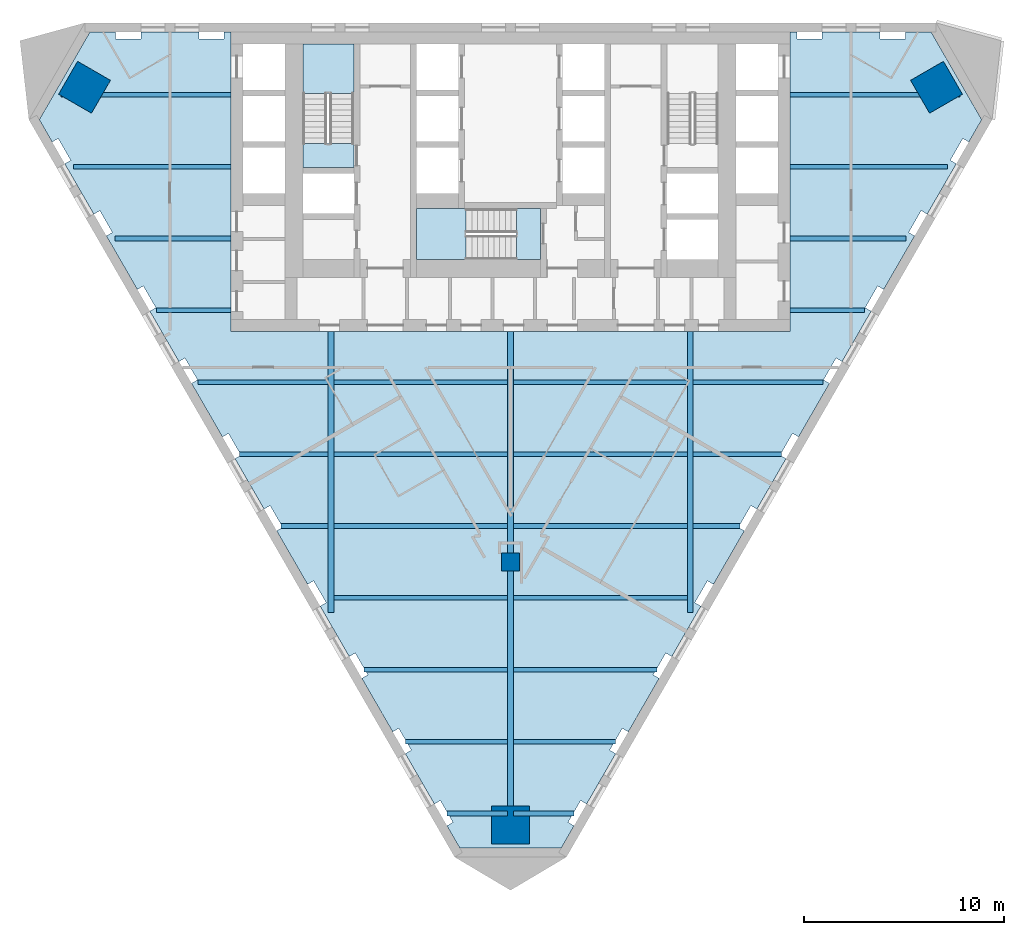
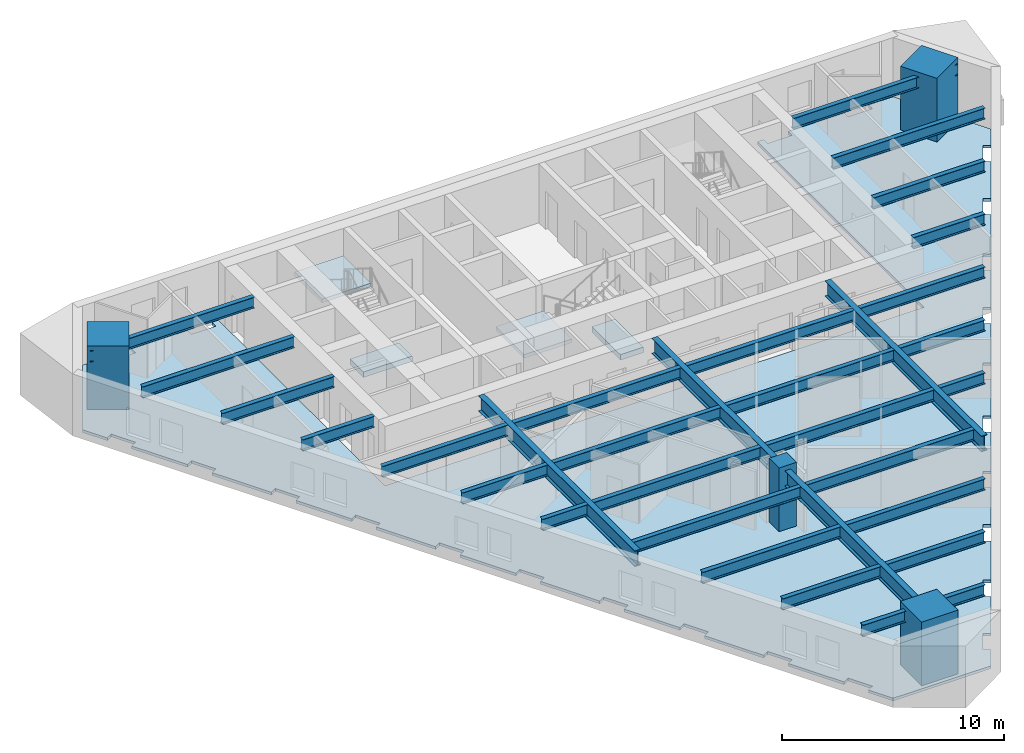
# One storey, part 1 of 9: 32 beams, 5 slabs, 4 columns, 2 elements without a shape of their own.
"""IFC4 building model written with IfcOpenShell, lengths in metres."""

from ifc_helpers import new_model, si_unit, direction, frame, origin, origin_2d, place, context, subcontext, project, spatial, polyline, rectangle, i_section, outline, extrude, material, layer, layer_set, material_profile, profile_set, type_object, element, aggregate, save


model = new_model("IFC4")

# Units and contexts
model_context = context("Model", 3, precision=1e-05, world=origin(), true_north=direction((0.0, 1.0)))
body_context = subcontext(model_context, "Body", "Model", "MODEL_VIEW")
ifc_project = project(units=[si_unit("LENGTHUNIT", "METRE"), si_unit("AREAUNIT", "SQUARE_METRE"), si_unit("VOLUMEUNIT", "CUBIC_METRE"), si_unit("PLANEANGLEUNIT", "RADIAN"), si_unit("MASSUNIT", "GRAM", prefix="KILO")], contexts=[model_context])

# Site, building, storey
site_placement = place(None, origin())
site = spatial("IfcSite", under=ifc_project, at=site_placement, CompositionType="ELEMENT")
building_placement = place(site_placement, origin())
building = spatial("IfcBuilding", under=site, at=building_placement, Name="Aloe Facet Convention Tower", CompositionType="ELEMENT")
storey_placement = place(building_placement, frame((0.0, 0.0, 120.300048828125)))
storey = spatial("IfcBuildingStorey", under=building, at=storey_placement, Name="L30", CompositionType="ELEMENT", Elevation=120.300048828125)

# Columns
ifc_material_1 = material(Name="Concrete C70/85", Category="concrete")
ifc_material_profile_1 = material_profile(ifc_material_1, rectangle(XDim=0.89990234375, YDim=0.89990234375, at=origin_2d()), Name="SF-GC-Z2")
ifc_profile_set_1 = profile_set([ifc_material_profile_1], Name="Concrete C70/85")
column_type_1 = type_object("IfcColumnType", Name="SF-GC-Z2", PredefinedType="COLUMN", material=ifc_profile_set_1)
column_placement = place(storey_placement, frame((80.0, 108.0, 0.0), z_axis=(0.0, 0.0, 1.0), x_axis=(1.0, 0.0, 0.0)))
element("IfcColumn", 1, at=column_placement, inside=storey, type_object=column_type_1, Name="Gravity column GC-Z2-9D", PredefinedType="COLUMN", context=body_context, shape_type="SweptSolid", body=[
    extrude(rectangle(XDim=0.89990234375, YDim=0.89990234375, at=origin_2d()), origin(), (0.0, 0.0, 1.0), 3.5),
])
ifc_material_2 = material(Name="Concrete C80/95", Category="concrete")
ifc_material_profile_2 = material_profile(ifc_material_2, rectangle(XDim=1.89990234375, YDim=1.89990234375, at=origin_2d()), Name="STW-MC-Z2")
ifc_profile_set_2 = profile_set([ifc_material_profile_2], Name="Concrete C80/95")
column_type_2 = type_object("IfcColumnType", Name="STW-MC-Z2", PredefinedType="COLUMN", material=ifc_profile_set_2)
for number, where, z_axis, x_axis, name in (
    (2, (101.3359375, 131.775146484375, 0.0), (0.0, 0.0, 1.0), (-0.5, 0.866025403784, 0.0), "Mega-column MC-NE-L30"),
    (3, (58.6640625, 131.775146484375, 0.0), (0.0, 0.0, 1.0), (-0.5, -0.866025403784, 0.0), "Mega-column MC-NW-L30"),
    (4, (80.0, 94.8203125, 0.0), (0.0, 0.0, 1.0), (1.0, 0.0, 0.0), "Mega-column MC-S-L30"),
):
    element("IfcColumn", number, at=place(storey_placement, frame(where, z_axis=z_axis, x_axis=x_axis)), inside=storey, type_object=column_type_2, Name=name, PredefinedType="COLUMN", context=body_context, shape_type="SweptSolid", body=[
        extrude(rectangle(XDim=1.89990234375, YDim=1.89990234375, at=origin_2d()), origin(), (0.0, 0.0, 1.0), 3.5),
    ])

# Beams
ifc_material_3 = material(Name="Steel S355", Category="steel")
ifc_material_profile_3 = material_profile(ifc_material_3, i_section(OverallWidth=0.22900390625, OverallDepth=0.6123046875, WebThickness=0.011962890625, FlangeThickness=0.01953125, FilletRadius=0.0126953125, at=origin_2d()), Name="UB 610x229x125")
ifc_profile_set_3 = profile_set([ifc_material_profile_3], Name="Steel S355")
beam_type_1 = type_object("IfcBeamType", Name="SF-B-UB610x229x125", PredefinedType="BEAM", material=ifc_profile_set_3)
beam_1_placement = place(storey_placement, frame((57.47607421875, 131.39990234375, 2.94384765625), z_axis=(1.0, 0.0, 0.0), x_axis=(0.0, 1.0, 0.0)))
element("IfcBeam", 5, at=beam_1_placement, inside=storey, type_object=beam_type_1, Name="Floor beam FB-Z2I-005", PredefinedType="BEAM", context=body_context, shape_type="SweptSolid", body=[
    extrude(i_section(OverallWidth=0.22900390625, OverallDepth=0.6123046875, WebThickness=0.011962890625, FlangeThickness=0.01953125, FilletRadius=0.0126953125, at=origin_2d()), origin(), (0.0, 0.0, 1.0), 8.52392578125),
])
beam_2_placement = place(storey_placement, frame((58.111328125, 127.800048828125, 2.94384765625), z_axis=(1.0, 0.0, 0.0), x_axis=(0.0, 1.0, 0.0)))
element("IfcBeam", 6, at=beam_2_placement, inside=storey, type_object=beam_type_1, Name="Floor beam FB-Z2I-006", PredefinedType="BEAM", context=body_context, shape_type="SweptSolid", body=[
    extrude(i_section(OverallWidth=0.22900390625, OverallDepth=0.6123046875, WebThickness=0.011962890625, FlangeThickness=0.01953125, FilletRadius=0.0126953125, at=origin_2d()), origin(), (0.0, 0.0, 1.0), 7.888671875),
])
beam_3_placement = place(storey_placement, frame((60.18994140625, 124.199951171875, 2.94384765625), z_axis=(1.0, 0.0, 0.0), x_axis=(0.0, 1.0, 0.0)))
element("IfcBeam", 7, at=beam_3_placement, inside=storey, type_object=beam_type_1, Name="Floor beam FB-Z2I-007", PredefinedType="BEAM", context=body_context, shape_type="SweptSolid", body=[
    extrude(i_section(OverallWidth=0.22900390625, OverallDepth=0.6123046875, WebThickness=0.011962890625, FlangeThickness=0.01953125, FilletRadius=0.0126953125, at=origin_2d()), origin(), (0.0, 0.0, 1.0), 5.81005859375),
])
beam_4_placement = place(storey_placement, frame((62.268310546875, 120.60009765625, 2.94384765625), z_axis=(1.0, 0.0, 0.0), x_axis=(0.0, 1.0, 0.0)))
element("IfcBeam", 8, at=beam_4_placement, inside=storey, type_object=beam_type_1, Name="Floor beam FB-Z2I-008", PredefinedType="BEAM", context=body_context, shape_type="SweptSolid", body=[
    extrude(i_section(OverallWidth=0.22900390625, OverallDepth=0.6123046875, WebThickness=0.011962890625, FlangeThickness=0.01953125, FilletRadius=0.0126953125, at=origin_2d()), origin(), (0.0, 0.0, 1.0), 3.731689453125),
])
beam_5_placement = place(storey_placement, frame((64.3466796875, 117.0, 2.94384765625), z_axis=(1.0, 0.0, 0.0), x_axis=(0.0, 1.0, 0.0)))
element("IfcBeam", 9, at=beam_5_placement, inside=storey, type_object=beam_type_1, Name="Floor beam FB-Z2I-009", PredefinedType="BEAM", context=body_context, shape_type="SweptSolid", body=[
    extrude(i_section(OverallWidth=0.22900390625, OverallDepth=0.6123046875, WebThickness=0.011962890625, FlangeThickness=0.01953125, FilletRadius=0.0126953125, at=origin_2d()), origin(), (0.0, 0.0, 1.0), 6.50634765625),
])
beam_6_placement = place(storey_placement, frame((66.42529296875, 113.39990234375, 2.94384765625), z_axis=(1.0, 0.0, 0.0), x_axis=(0.0, 1.0, 0.0)))
element("IfcBeam", 10, at=beam_6_placement, inside=storey, type_object=beam_type_1, Name="Floor beam FB-Z2I-010", PredefinedType="BEAM", context=body_context, shape_type="SweptSolid", body=[
    extrude(i_section(OverallWidth=0.22900390625, OverallDepth=0.6123046875, WebThickness=0.011962890625, FlangeThickness=0.01953125, FilletRadius=0.0126953125, at=origin_2d()), origin(), (0.0, 0.0, 1.0), 4.427734375),
])
beam_7_placement = place(storey_placement, frame((68.503662109375, 109.800048828125, 2.94384765625), z_axis=(1.0, 0.0, 0.0), x_axis=(0.0, 1.0, 0.0)))
element("IfcBeam", 11, at=beam_7_placement, inside=storey, type_object=beam_type_1, Name="Floor beam FB-Z2I-011", PredefinedType="BEAM", context=body_context, shape_type="SweptSolid", body=[
    extrude(i_section(OverallWidth=0.22900390625, OverallDepth=0.6123046875, WebThickness=0.011962890625, FlangeThickness=0.01953125, FilletRadius=0.0126953125, at=origin_2d()), origin(), (0.0, 0.0, 1.0), 2.349365234375),
])
for number, where, z_axis, x_axis, name in (
    (12, (71.14697265625, 106.199951171875, 2.94384765625), (1.0, 0.0, 0.0), (0.0, 1.0, 0.0), "Floor beam FB-Z2I-012"),
    (13, (71.14697265625, 109.800048828125, 2.94384765625), (1.0, 0.0, 0.0), (0.0, 1.0, 0.0), "Floor beam FB-Z2I-013"),
    (14, (71.14697265625, 113.39990234375, 2.94384765625), (1.0, 0.0, 0.0), (0.0, 1.0, 0.0), "Floor beam FB-Z2I-014"),
    (15, (71.14697265625, 117.0, 2.94384765625), (1.0, 0.0, 0.0), (0.0, 1.0, 0.0), "Floor beam FB-Z2I-015"),
):
    element("IfcBeam", number, at=place(storey_placement, frame(where, z_axis=z_axis, x_axis=x_axis)), inside=storey, type_object=beam_type_1, Name=name, PredefinedType="BEAM", context=body_context, shape_type="SweptSolid", body=[
        extrude(i_section(OverallWidth=0.22900390625, OverallDepth=0.6123046875, WebThickness=0.011962890625, FlangeThickness=0.01953125, FilletRadius=0.0126953125, at=origin_2d()), origin(), (0.0, 0.0, 1.0), 8.7060546875),
    ])
beam_8_placement = place(storey_placement, frame((72.66064453125, 102.60009765625, 2.94384765625), z_axis=(1.0, 0.0, 0.0), x_axis=(0.0, 1.0, 0.0)))
element("IfcBeam", 16, at=beam_8_placement, inside=storey, type_object=beam_type_1, Name="Floor beam FB-Z2I-016", PredefinedType="BEAM", context=body_context, shape_type="SweptSolid", body=[
    extrude(i_section(OverallWidth=0.22900390625, OverallDepth=0.6123046875, WebThickness=0.011962890625, FlangeThickness=0.01953125, FilletRadius=0.0126953125, at=origin_2d()), origin(), (0.0, 0.0, 1.0), 7.1923828125),
])
beam_9_placement = place(storey_placement, frame((74.739013671875, 99.0, 2.94384765625), z_axis=(1.0, 0.0, 0.0), x_axis=(0.0, 1.0, 0.0)))
element("IfcBeam", 17, at=beam_9_placement, inside=storey, type_object=beam_type_1, Name="Floor beam FB-Z2I-017", PredefinedType="BEAM", context=body_context, shape_type="SweptSolid", body=[
    extrude(i_section(OverallWidth=0.22900390625, OverallDepth=0.6123046875, WebThickness=0.011962890625, FlangeThickness=0.01953125, FilletRadius=0.0126953125, at=origin_2d()), origin(), (0.0, 0.0, 1.0), 5.114013671875),
])
for number, where, z_axis, x_axis, name in (
    (18, (76.817626953125, 95.39990234375, 2.94384765625), (1.0, 0.0, 0.0), (0.0, 1.0, 0.0), "Floor beam FB-Z2I-018"),
    (19, (80.14697265625, 95.39990234375, 2.94384765625), (1.0, 0.0, 0.0), (0.0, 1.0, 0.0), "Floor beam FB-Z2I-019"),
):
    element("IfcBeam", number, at=place(storey_placement, frame(where, z_axis=z_axis, x_axis=x_axis)), inside=storey, type_object=beam_type_1, Name=name, PredefinedType="BEAM", context=body_context, shape_type="SweptSolid", body=[
        extrude(i_section(OverallWidth=0.22900390625, OverallDepth=0.6123046875, WebThickness=0.011962890625, FlangeThickness=0.01953125, FilletRadius=0.0126953125, at=origin_2d()), origin(), (0.0, 0.0, 1.0), 3.035400390625),
    ])
beam_10_placement = place(storey_placement, frame((80.14697265625, 99.0, 2.94384765625), z_axis=(1.0, 0.0, 0.0), x_axis=(0.0, 1.0, 0.0)))
element("IfcBeam", 20, at=beam_10_placement, inside=storey, type_object=beam_type_1, Name="Floor beam FB-Z2I-020", PredefinedType="BEAM", context=body_context, shape_type="SweptSolid", body=[
    extrude(i_section(OverallWidth=0.22900390625, OverallDepth=0.6123046875, WebThickness=0.011962890625, FlangeThickness=0.01953125, FilletRadius=0.0126953125, at=origin_2d()), origin(), (0.0, 0.0, 1.0), 5.114013671875),
])
beam_11_placement = place(storey_placement, frame((80.14697265625, 102.60009765625, 2.94384765625), z_axis=(1.0, 0.0, 0.0), x_axis=(0.0, 1.0, 0.0)))
element("IfcBeam", 21, at=beam_11_placement, inside=storey, type_object=beam_type_1, Name="Floor beam FB-Z2I-021", PredefinedType="BEAM", context=body_context, shape_type="SweptSolid", body=[
    extrude(i_section(OverallWidth=0.22900390625, OverallDepth=0.6123046875, WebThickness=0.011962890625, FlangeThickness=0.01953125, FilletRadius=0.0126953125, at=origin_2d()), origin(), (0.0, 0.0, 1.0), 7.1923828125),
])
for number, where, z_axis, x_axis, name in (
    (22, (80.14697265625, 106.199951171875, 2.94384765625), (1.0, 0.0, 0.0), (0.0, 1.0, 0.0), "Floor beam FB-Z2I-022"),
    (23, (80.14697265625, 109.800048828125, 2.94384765625), (1.0, 0.0, 0.0), (0.0, 1.0, 0.0), "Floor beam FB-Z2I-023"),
    (24, (80.14697265625, 113.39990234375, 2.94384765625), (1.0, 0.0, 0.0), (0.0, 1.0, 0.0), "Floor beam FB-Z2I-024"),
    (25, (80.14697265625, 117.0, 2.94384765625), (1.0, 0.0, 0.0), (0.0, 1.0, 0.0), "Floor beam FB-Z2I-025"),
):
    element("IfcBeam", number, at=place(storey_placement, frame(where, z_axis=z_axis, x_axis=x_axis)), inside=storey, type_object=beam_type_1, Name=name, PredefinedType="BEAM", context=body_context, shape_type="SweptSolid", body=[
        extrude(i_section(OverallWidth=0.22900390625, OverallDepth=0.6123046875, WebThickness=0.011962890625, FlangeThickness=0.01953125, FilletRadius=0.0126953125, at=origin_2d()), origin(), (0.0, 0.0, 1.0), 8.7060546875),
    ])
beam_12_placement = place(storey_placement, frame((89.14697265625, 109.800048828125, 2.94384765625), z_axis=(1.0, 0.0, 0.0), x_axis=(0.0, 1.0, 0.0)))
element("IfcBeam", 26, at=beam_12_placement, inside=storey, type_object=beam_type_1, Name="Floor beam FB-Z2I-026", PredefinedType="BEAM", context=body_context, shape_type="SweptSolid", body=[
    extrude(i_section(OverallWidth=0.22900390625, OverallDepth=0.6123046875, WebThickness=0.011962890625, FlangeThickness=0.01953125, FilletRadius=0.0126953125, at=origin_2d()), origin(), (0.0, 0.0, 1.0), 2.349365234375),
])
beam_13_placement = place(storey_placement, frame((89.14697265625, 113.39990234375, 2.94384765625), z_axis=(1.0, 0.0, 0.0), x_axis=(0.0, 1.0, 0.0)))
element("IfcBeam", 27, at=beam_13_placement, inside=storey, type_object=beam_type_1, Name="Floor beam FB-Z2I-027", PredefinedType="BEAM", context=body_context, shape_type="SweptSolid", body=[
    extrude(i_section(OverallWidth=0.22900390625, OverallDepth=0.6123046875, WebThickness=0.011962890625, FlangeThickness=0.01953125, FilletRadius=0.0126953125, at=origin_2d()), origin(), (0.0, 0.0, 1.0), 4.427734375),
])
beam_14_placement = place(storey_placement, frame((89.14697265625, 117.0, 2.94384765625), z_axis=(1.0, 0.0, 0.0), x_axis=(0.0, 1.0, 0.0)))
element("IfcBeam", 28, at=beam_14_placement, inside=storey, type_object=beam_type_1, Name="Floor beam FB-Z2I-028", PredefinedType="BEAM", context=body_context, shape_type="SweptSolid", body=[
    extrude(i_section(OverallWidth=0.22900390625, OverallDepth=0.6123046875, WebThickness=0.011962890625, FlangeThickness=0.01953125, FilletRadius=0.0126953125, at=origin_2d()), origin(), (0.0, 0.0, 1.0), 6.50634765625),
])
beam_15_placement = place(storey_placement, frame((94.0, 120.60009765625, 2.94384765625), z_axis=(1.0, 0.0, 0.0), x_axis=(0.0, 1.0, 0.0)))
element("IfcBeam", 29, at=beam_15_placement, inside=storey, type_object=beam_type_1, Name="Floor beam FB-Z2I-029", PredefinedType="BEAM", context=body_context, shape_type="SweptSolid", body=[
    extrude(i_section(OverallWidth=0.22900390625, OverallDepth=0.6123046875, WebThickness=0.011962890625, FlangeThickness=0.01953125, FilletRadius=0.0126953125, at=origin_2d()), origin(), (0.0, 0.0, 1.0), 3.731689453125),
])
beam_16_placement = place(storey_placement, frame((94.0, 124.199951171875, 2.94384765625), z_axis=(1.0, 0.0, 0.0), x_axis=(0.0, 1.0, 0.0)))
element("IfcBeam", 30, at=beam_16_placement, inside=storey, type_object=beam_type_1, Name="Floor beam FB-Z2I-030", PredefinedType="BEAM", context=body_context, shape_type="SweptSolid", body=[
    extrude(i_section(OverallWidth=0.22900390625, OverallDepth=0.6123046875, WebThickness=0.011962890625, FlangeThickness=0.01953125, FilletRadius=0.0126953125, at=origin_2d()), origin(), (0.0, 0.0, 1.0), 5.81005859375),
])
beam_17_placement = place(storey_placement, frame((94.0, 127.800048828125, 2.94384765625), z_axis=(1.0, 0.0, 0.0), x_axis=(0.0, 1.0, 0.0)))
element("IfcBeam", 31, at=beam_17_placement, inside=storey, type_object=beam_type_1, Name="Floor beam FB-Z2I-031", PredefinedType="BEAM", context=body_context, shape_type="SweptSolid", body=[
    extrude(i_section(OverallWidth=0.22900390625, OverallDepth=0.6123046875, WebThickness=0.011962890625, FlangeThickness=0.01953125, FilletRadius=0.0126953125, at=origin_2d()), origin(), (0.0, 0.0, 1.0), 7.888671875),
])
beam_18_placement = place(storey_placement, frame((94.0, 131.39990234375, 2.94384765625), z_axis=(1.0, 0.0, 0.0), x_axis=(0.0, 1.0, 0.0)))
element("IfcBeam", 32, at=beam_18_placement, inside=storey, type_object=beam_type_1, Name="Floor beam FB-Z2I-032", PredefinedType="BEAM", context=body_context, shape_type="SweptSolid", body=[
    extrude(i_section(OverallWidth=0.22900390625, OverallDepth=0.6123046875, WebThickness=0.011962890625, FlangeThickness=0.01953125, FilletRadius=0.0126953125, at=origin_2d()), origin(), (0.0, 0.0, 1.0), 8.52392578125),
])
ifc_material_4 = material(Name="Steel S355", Category="steel")
ifc_material_profile_4 = material_profile(ifc_material_4, i_section(OverallWidth=0.293701171875, OverallDepth=0.850830078125, WebThickness=0.01611328125, FlangeThickness=0.02685546875, FilletRadius=0.017822265625, at=origin_2d()), Name="UB 838x292x226")
ifc_profile_set_4 = profile_set([ifc_material_profile_4], Name="Steel S355")
beam_type_2 = type_object("IfcBeamType", Name="SF-B-UB838x292x226", PredefinedType="BEAM", material=ifc_profile_set_4)
beam_19_placement = place(storey_placement, frame((71.0, 119.550048828125, 2.824462890625), z_axis=(0.0, -1.0, 0.0), x_axis=(1.0, 0.0, 0.0)))
element("IfcBeam", 33, at=beam_19_placement, inside=storey, type_object=beam_type_2, Name="Floor beam FB-Z2I-001", PredefinedType="BEAM", context=body_context, shape_type="SweptSolid", body=[
    extrude(i_section(OverallWidth=0.293701171875, OverallDepth=0.850830078125, WebThickness=0.01611328125, FlangeThickness=0.02685546875, FilletRadius=0.017822265625, at=origin_2d()), origin(), (0.0, 0.0, 1.0), 14.0810546875),
])
beam_20_placement = place(storey_placement, frame((80.0, 107.550048828125, 2.824462890625), z_axis=(0.0, -1.0, 0.0), x_axis=(1.0, 0.0, 0.0)))
element("IfcBeam", 34, at=beam_20_placement, inside=storey, type_object=beam_type_2, Name="Floor beam FB-Z2I-002", PredefinedType="BEAM", context=body_context, shape_type="SweptSolid", body=[
    extrude(i_section(OverallWidth=0.293701171875, OverallDepth=0.850830078125, WebThickness=0.01611328125, FlangeThickness=0.02685546875, FilletRadius=0.017822265625, at=origin_2d()), origin(), (0.0, 0.0, 1.0), 13.56982421875),
])
beam_21_placement = place(storey_placement, frame((80.0, 119.550048828125, 2.824462890625), z_axis=(0.0, -1.0, 0.0), x_axis=(1.0, 0.0, 0.0)))
element("IfcBeam", 35, at=beam_21_placement, inside=storey, type_object=beam_type_2, Name="Floor beam FB-Z2I-003", PredefinedType="BEAM", context=body_context, shape_type="SweptSolid", body=[
    extrude(i_section(OverallWidth=0.293701171875, OverallDepth=0.850830078125, WebThickness=0.01611328125, FlangeThickness=0.02685546875, FilletRadius=0.017822265625, at=origin_2d()), origin(), (0.0, 0.0, 1.0), 11.10009765625),
])
beam_22_placement = place(storey_placement, frame((89.0, 119.550048828125, 2.824462890625), z_axis=(0.0, -1.0, 0.0), x_axis=(1.0, 0.0, 0.0)))
element("IfcBeam", 36, at=beam_22_placement, inside=storey, type_object=beam_type_2, Name="Floor beam FB-Z2I-004", PredefinedType="BEAM", context=body_context, shape_type="SweptSolid", body=[
    extrude(i_section(OverallWidth=0.293701171875, OverallDepth=0.850830078125, WebThickness=0.01611328125, FlangeThickness=0.02685546875, FilletRadius=0.017822265625, at=origin_2d()), origin(), (0.0, 0.0, 1.0), 14.0810546875),
])

# Slabs
ifc_material_5 = material(Name="Concrete C70/85", Category="concrete")
ifc_layer_1 = layer(ifc_material_5, 0.300048828125)
ifc_layer_set_1 = layer_set([ifc_layer_1], Name="CR-S-FLOOR300-C7085")
slab_type_1 = type_object("IfcSlabType", Name="CR-S-FLOOR300-C7085", PredefinedType="FLOOR", material=ifc_layer_set_1)
slab_1_placement = place(storey_placement, frame((0.0, 0.0, -0.300048828125)))
element("IfcSlab", 37, at=slab_1_placement, inside=storey, type_object=slab_type_1, Name="Stair landing floor L30", PredefinedType="FLOOR", context=body_context, shape_type="SweptSolid", body=[
    extrude(outline(polyline([(72.14990234375, 127.75), (72.14990234375, 128.951171875), (69.60009765625, 128.951171875), (69.60009765625, 127.75), (72.14990234375, 127.75)])), origin(), (0.0, 0.0, 1.0), 0.300048828125),
])
slab_2_placement = place(storey_placement, frame((0.0, 0.0, -0.300048828125)))
element("IfcSlab", 38, at=slab_2_placement, inside=storey, type_object=slab_type_1, Name="Stair landing floor L30", PredefinedType="FLOOR", context=body_context, shape_type="SweptSolid", body=[
    extrude(outline(polyline([(81.5, 125.699951171875), (80.298828125, 125.699951171875), (80.298828125, 123.14990234375), (81.5, 123.14990234375), (81.5, 125.699951171875)])), origin(), (0.0, 0.0, 1.0), 0.300048828125),
])

# Stair, slab
ifc_material_6 = material(Name="Concrete C50/60", Category="concrete")
stair_type = type_object("IfcStairType", Name="CR-ST-20R", PredefinedType="HALF_TURN_STAIR", material=ifc_material_6)
stair_1_placement = place(storey_placement, origin())
stair_1 = element("IfcStair", 39, at=stair_1_placement, inside=storey, type_object=stair_type, Name="L30 Protected exit stair ST1", PredefinedType="HALF_TURN_STAIR")
ifc_material_7 = material(Name="Concrete C50/60", Category="concrete")
ifc_layer_2 = layer(ifc_material_7, 0.199951171875)
ifc_layer_set_2 = layer_set([ifc_layer_2], Name="CR-SL-LANDING")
slab_type_2 = type_object("IfcSlabType", Name="CR-SL-LANDING", PredefinedType="LANDING", material=ifc_layer_set_2)
slab_3_placement = place(storey_placement, frame((0.0, 0.0, 1.550048828125)))
slab_3 = element("IfcSlab", 40, at=slab_3_placement, type_object=slab_type_2, Name="ST1 landing 1", PredefinedType="LANDING", context=body_context, shape_type="SweptSolid", body=[
    extrude(outline(polyline([(72.14990234375, 131.469970703125), (72.14990234375, 133.949951171875), (69.60009765625, 133.949951171875), (69.60009765625, 131.469970703125), (72.14990234375, 131.469970703125)])), origin(), (0.0, 0.0, 1.0), 0.199951171875),
])
aggregate(stair_1, [slab_3])

stair_2_placement = place(storey_placement, origin())
stair_2 = element("IfcStair", 41, at=stair_2_placement, inside=storey, type_object=stair_type, Name="L30 Protected exit stair ST3", PredefinedType="HALF_TURN_STAIR")
slab_4_placement = place(storey_placement, frame((0.0, 0.0, 1.550048828125)))
slab_4 = element("IfcSlab", 42, at=slab_4_placement, type_object=slab_type_2, Name="ST3 landing 1", PredefinedType="LANDING", context=body_context, shape_type="SweptSolid", body=[
    extrude(outline(polyline([(77.780029296875, 125.699951171875), (75.300048828125, 125.699951171875), (75.300048828125, 123.14990234375), (77.780029296875, 123.14990234375), (77.780029296875, 125.699951171875)])), origin(), (0.0, 0.0, 1.0), 0.199951171875),
])
aggregate(stair_2, [slab_4])

# Slab
ifc_material_8 = material(Name="Concrete C35/45", Category="concrete")
ifc_layer_3 = layer(ifc_material_8, 0.14990234375)
ifc_layer_set_3 = layer_set([ifc_layer_3], Name="SF-FS-150")
slab_type_3 = type_object("IfcSlabType", Name="SF-FS-150", PredefinedType="FLOOR", material=ifc_layer_set_3)
slab_5_placement = place(storey_placement, frame((0.0, 0.0, -0.150146484375)))
element("IfcSlab", 43, at=slab_5_placement, inside=storey, type_object=slab_type_3, Name="Floor slab L30-1", PredefinedType="FLOOR", context=body_context, shape_type="SweptSolid", body=[
    extrude(outline(polyline([(103.601806640625, 130.150390625), (102.95849609375, 129.035888671875), (102.655517578125, 129.210693359375), (102.024169921875, 128.11767578125), (102.327392578125, 127.942626953125), (100.8720703125, 125.421875), (100.56884765625, 125.596923828125), (99.937744140625, 124.503662109375), (100.240966796875, 124.32861328125), (98.694091796875, 121.64990234375), (98.39111328125, 121.82470703125), (97.760009765625, 120.731689453125), (98.06298828125, 120.556640625), (96.607666015625, 118.035888671875), (96.3046875, 118.2109375), (95.67333984375, 117.11767578125), (95.9765625, 116.942626953125), (94.429931640625, 114.263916015625), (94.126708984375, 114.438720703125), (93.49560546875, 113.345703125), (93.798583984375, 113.170654296875), (92.343505859375, 110.64990234375), (92.040283203125, 110.824951171875), (91.4091796875, 109.731689453125), (91.712158203125, 109.556640625), (90.16552734375, 106.877685546875), (89.862548828125, 107.052734375), (89.231201171875, 105.959716796875), (89.534423828125, 105.78466796875), (88.0791015625, 103.263916015625), (87.77587890625, 103.43896484375), (87.144775390625, 102.345703125), (87.447998046875, 102.170654296875), (85.9013671875, 99.49169921875), (85.59814453125, 99.666748046875), (84.967041015625, 98.573486328125), (85.27001953125, 98.398681640625), (83.814697265625, 95.8779296875), (83.51171875, 96.052978515625), (82.880615234375, 94.959716796875), (83.18359375, 94.78466796875), (82.540283203125, 93.67041015625), (77.459716796875, 93.67041015625), (76.81640625, 94.78466796875), (77.119384765625, 94.959716796875), (76.48828125, 96.052978515625), (76.185302734375, 95.8779296875), (74.72998046875, 98.398681640625), (75.032958984375, 98.573486328125), (74.40185546875, 99.666748046875), (74.0986328125, 99.49169921875), (72.552001953125, 102.170654296875), (72.855224609375, 102.345703125), (72.22412109375, 103.43896484375), (71.9208984375, 103.263916015625), (70.465576171875, 105.78466796875), (70.768798828125, 105.959716796875), (70.137451171875, 107.052734375), (69.83447265625, 106.877685546875), (68.287841796875, 109.556640625), (68.5908203125, 109.731689453125), (67.959716796875, 110.824951171875), (67.656494140625, 110.64990234375), (66.201416015625, 113.170654296875), (66.50439453125, 113.345703125), (65.873291015625, 114.438720703125), (65.570068359375, 114.263916015625), (64.0234375, 116.942626953125), (64.32666015625, 117.11767578125), (63.6953125, 118.2109375), (63.392333984375, 118.035888671875), (61.93701171875, 120.556640625), (62.239990234375, 120.731689453125), (61.60888671875, 121.82470703125), (61.305908203125, 121.64990234375), (59.759033203125, 124.32861328125), (60.062255859375, 124.503662109375), (59.43115234375, 125.596923828125), (59.1279296875, 125.421875), (57.672607421875, 127.942626953125), (57.975830078125, 128.11767578125), (57.344482421875, 129.210693359375), (57.04150390625, 129.035888671875), (56.398193359375, 130.150390625), (58.938232421875, 134.550048828125), (60.22509765625, 134.550048828125), (60.22509765625, 134.199951171875), (61.487548828125, 134.199951171875), (61.487548828125, 134.550048828125), (64.398193359375, 134.550048828125), (64.398193359375, 134.199951171875), (65.660400390625, 134.199951171875), (65.660400390625, 134.550048828125), (66.0, 134.550048828125), (66.0, 131.949951171875), (66.0, 131.050048828125), (66.0, 129.35009765625), (66.0, 128.449951171875), (66.0, 126.449951171875), (66.0, 125.85009765625), (66.0, 124.689453125), (66.0, 123.639404296875), (66.0, 122.550048828125), (66.0, 121.5), (66.0, 119.550048828125), (68.699951171875, 119.550048828125), (69.300048828125, 119.550048828125), (72.10009765625, 119.550048828125), (73.14990234375, 119.550048828125), (74.300048828125, 119.550048828125), (75.35009765625, 119.550048828125), (76.433349609375, 119.550048828125), (77.4833984375, 119.550048828125), (78.566650390625, 119.550048828125), (79.61669921875, 119.550048828125), (80.699951171875, 119.550048828125), (81.75, 119.550048828125), (82.64990234375, 119.550048828125), (83.699951171875, 119.550048828125), (84.64990234375, 119.550048828125), (85.699951171875, 119.550048828125), (86.85009765625, 119.550048828125), (87.89990234375, 119.550048828125), (88.550048828125, 119.550048828125), (89.60009765625, 119.550048828125), (90.699951171875, 119.550048828125), (91.300048828125, 119.550048828125), (94.0, 119.550048828125), (94.0, 122.523681640625), (94.0, 123.57373046875), (94.0, 125.85009765625), (94.0, 126.449951171875), (94.0, 128.449951171875), (94.0, 129.35009765625), (94.0, 131.050048828125), (94.0, 131.949951171875), (94.0, 134.550048828125), (94.339599609375, 134.550048828125), (94.339599609375, 134.199951171875), (95.601806640625, 134.199951171875), (95.601806640625, 134.550048828125), (98.512451171875, 134.550048828125), (98.512451171875, 134.199951171875), (99.77490234375, 134.199951171875), (99.77490234375, 134.550048828125), (101.061767578125, 134.550048828125), (103.601806640625, 130.150390625)]), holes=[polyline([(80.449951171875, 107.550048828125), (80.449951171875, 108.449951171875), (79.550048828125, 108.449951171875), (79.550048828125, 107.550048828125), (80.449951171875, 107.550048828125)]), polyline([(58.31640625, 133.072998046875), (57.366455078125, 131.427490234375), (59.01171875, 130.477294921875), (59.9619140625, 132.122802734375), (58.31640625, 133.072998046875)]), polyline([(79.050048828125, 93.870361328125), (80.949951171875, 93.870361328125), (80.949951171875, 95.770263671875), (79.050048828125, 95.770263671875), (79.050048828125, 93.870361328125)]), polyline([(102.633544921875, 131.427490234375), (101.68359375, 133.072998046875), (100.0380859375, 132.122802734375), (100.98828125, 130.477294921875), (102.633544921875, 131.427490234375)])]), origin(), (0.0, 0.0, 1.0), 0.150146484375),
])

save(model, "model.ifc")
